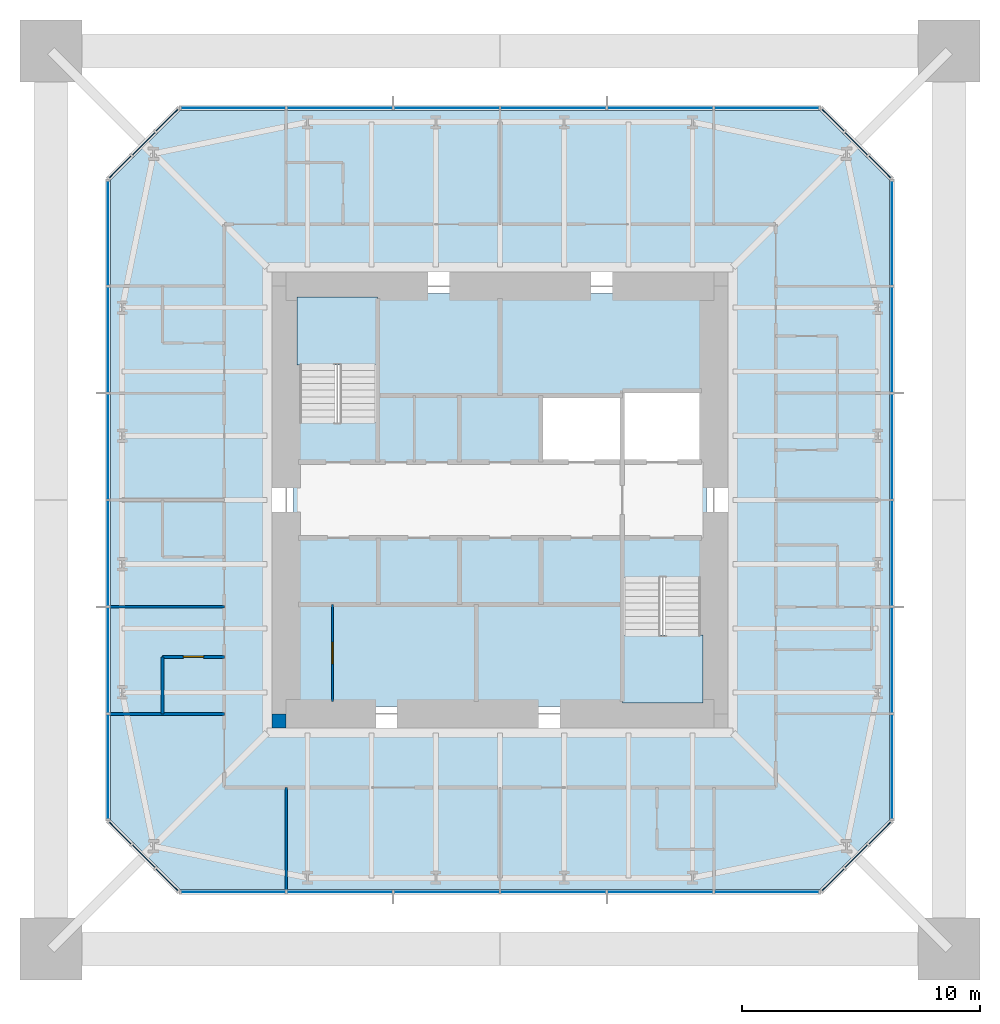
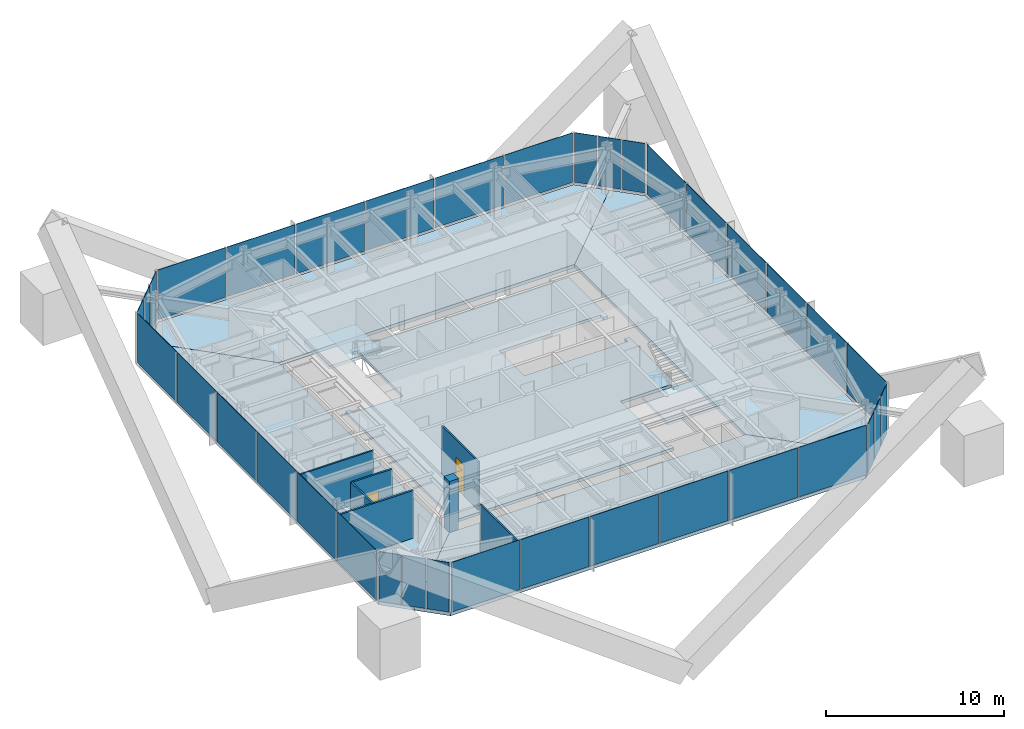
# One storey, part 6 of 10: 36 plates, 7 slabs, 7 walls, 2 doors, 2 openings, 10 elements without a shape of their own.
"""IFC4 building model written with IfcOpenShell, lengths in metres."""

from ifc_helpers import new_model, si_unit, direction, frame, frame_2d, origin, origin_2d, place, context, subcontext, project, spatial, polyline, rectangle, outline, extrude, material, layer, layer_set, constituent, constituent_set, type_object, element, fill, aggregate, save


model = new_model("IFC4")

# Units and contexts
model_context = context("Model", 3, precision=1e-05, world=origin(), true_north=direction((0.0, 1.0)))
body_context = subcontext(model_context, "Body", "Model", "MODEL_VIEW")
ifc_project = project(units=[si_unit("LENGTHUNIT", "METRE"), si_unit("AREAUNIT", "SQUARE_METRE"), si_unit("VOLUMEUNIT", "CUBIC_METRE"), si_unit("PLANEANGLEUNIT", "RADIAN"), si_unit("MASSUNIT", "GRAM", prefix="KILO")], contexts=[model_context])

# Site, building, storey
site_placement = place(None, origin())
site = spatial("IfcSite", under=ifc_project, at=site_placement, CompositionType="ELEMENT")
building_placement = place(site_placement, origin())
building = spatial("IfcBuilding", under=site, at=building_placement, Name="Iwan Alto Co-Living Towers", CompositionType="ELEMENT")
storey_placement = place(building_placement, frame((0.0, 0.0, 260.5)))
storey = spatial("IfcBuildingStorey", under=building, at=storey_placement, Name="L71", CompositionType="ELEMENT", Elevation=260.5)

# Slab
ifc_material_1 = material(Name="Concrete f'c 30 MPa", Category="concrete")
ifc_layer_1 = layer(ifc_material_1, 0.199951171875)
ifc_layer_set_1 = layer_set([ifc_layer_1], Name="CORE FLOOR SLAB 200")
slab_type_1 = type_object("IfcSlabType", Name="CORE FLOOR SLAB 200", PredefinedType="FLOOR", material=ifc_layer_set_1)
slab_1_placement = place(storey_placement, frame((0.0, 0.0, -0.199951171875)))
element("IfcSlab", 1, at=slab_1_placement, inside=storey, type_object=slab_type_1, Name="T1 core floor L71", PredefinedType="FLOOR", context=body_context, shape_type="SweptSolid", body=[
    extrude(outline(polyline([(-8.699951171875, 3.580078125), (-8.39990234375, 3.580078125), (-8.39990234375, 3.27001953125), (-5.14990234375, 3.27001953125), (-5.14990234375, 8.39990234375), (-5.4599609375, 8.39990234375), (-5.4599609375, 8.699951171875), (8.699951171875, 8.699951171875), (8.699951171875, 4.2900390625), (8.39990234375, 4.2900390625), (8.39990234375, 4.60009765625), (5.14990234375, 4.60009765625), (5.14990234375, 4.39990234375), (1.717041015625, 4.39990234375), (1.717041015625, 1.60009765625), (5.14990234375, 1.60009765625), (8.39990234375, 1.60009765625), (8.39990234375, 1.909912109375), (8.699951171875, 1.909912109375), (8.699951171875, -3.580078125), (8.39990234375, -3.580078125), (8.39990234375, -3.27001953125), (5.14990234375, -3.27001953125), (5.14990234375, -8.39990234375), (5.4599609375, -8.39990234375), (5.4599609375, -8.699951171875), (-8.699951171875, -8.699951171875), (-8.699951171875, 3.580078125)])), origin(), (0.0, 0.0, 1.0), 0.199951171875),
])

# Curtain wall, plates
ifc_material_2 = material(Name="Bronze aluminium unitised frame", Category="aluminium")
curtain_wall_type_1 = type_object("IfcCurtainWallType", Name="CURTAIN WALL CW-A", PredefinedType="NOTDEFINED", material=ifc_material_2)
curtain_wall_1_placement = place(storey_placement, origin())
curtain_wall_1 = element("IfcCurtainWall", 2, at=curtain_wall_1_placement, inside=storey, type_object=curtain_wall_type_1, Name="T1 curtain wall S L71", PredefinedType="NOTDEFINED")
ifc_material_3 = material(Name="Bronze-tinted insulating glass", Category="glass")
ifc_layer_2 = layer(ifc_material_3, 0.031982421875)
ifc_layer_set_2 = layer_set([ifc_layer_2], Name="CW-A PANEL TINTED IGU 32")
plate_type_1 = type_object("IfcPlateType", Name="CW-A PANEL TINTED IGU 32", PredefinedType="CURTAIN_PANEL", material=ifc_layer_set_2)
plate_1_placement = place(storey_placement, frame((-11.22998046875, -16.5, 0.10009765625), z_axis=(0.0, 0.0, 1.0), x_axis=(1.0, 0.0, 0.0)))
plate_1 = element("IfcPlate", 3, at=plate_1_placement, type_object=plate_type_1, Name="CW-A panel 1.1", PredefinedType="CURTAIN_PANEL", context=body_context, shape_type="SweptSolid", body=[
    extrude(rectangle(XDim=4.3798828125, YDim=0.031982421875, at=origin_2d()), origin(), (0.0, 0.0, 1.0), 3.39990234375),
])
plate_2_placement = place(storey_placement, frame((-6.75, -16.5, 0.10009765625), z_axis=(0.0, 0.0, 1.0), x_axis=(1.0, 0.0, 0.0)))
plate_2 = element("IfcPlate", 4, at=plate_2_placement, type_object=plate_type_1, Name="CW-A panel 2.1", PredefinedType="CURTAIN_PANEL", context=body_context, shape_type="SweptSolid", body=[
    extrude(rectangle(XDim=4.419921875, YDim=0.031982421875, at=origin_2d()), origin(), (0.0, 0.0, 1.0), 3.39990234375),
])
plate_3_placement = place(storey_placement, frame((-2.25, -16.5, 0.10009765625), z_axis=(0.0, 0.0, 1.0), x_axis=(1.0, 0.0, 0.0)))
plate_3 = element("IfcPlate", 5, at=plate_3_placement, type_object=plate_type_1, Name="CW-A panel 3.1", PredefinedType="CURTAIN_PANEL", context=body_context, shape_type="SweptSolid", body=[
    extrude(rectangle(XDim=4.419921875, YDim=0.031982421875, at=origin_2d()), origin(), (0.0, 0.0, 1.0), 3.39990234375),
])
plate_4_placement = place(storey_placement, frame((2.25, -16.5, 0.10009765625), z_axis=(0.0, 0.0, 1.0), x_axis=(1.0, 0.0, 0.0)))
plate_4 = element("IfcPlate", 6, at=plate_4_placement, type_object=plate_type_1, Name="CW-A panel 4.1", PredefinedType="CURTAIN_PANEL", context=body_context, shape_type="SweptSolid", body=[
    extrude(rectangle(XDim=4.419921875, YDim=0.031982421875, at=origin_2d()), origin(), (0.0, 0.0, 1.0), 3.39990234375),
])
plate_5_placement = place(storey_placement, frame((6.75, -16.5, 0.10009765625), z_axis=(0.0, 0.0, 1.0), x_axis=(1.0, 0.0, 0.0)))
plate_5 = element("IfcPlate", 7, at=plate_5_placement, type_object=plate_type_1, Name="CW-A panel 5.1", PredefinedType="CURTAIN_PANEL", context=body_context, shape_type="SweptSolid", body=[
    extrude(rectangle(XDim=4.419921875, YDim=0.031982421875, at=origin_2d()), origin(), (0.0, 0.0, 1.0), 3.39990234375),
])
plate_6_placement = place(storey_placement, frame((11.22998046875, -16.5, 0.10009765625), z_axis=(0.0, 0.0, 1.0), x_axis=(1.0, 0.0, 0.0)))
plate_6 = element("IfcPlate", 8, at=plate_6_placement, type_object=plate_type_1, Name="CW-A panel 6.1", PredefinedType="CURTAIN_PANEL", context=body_context, shape_type="SweptSolid", body=[
    extrude(rectangle(XDim=4.3798828125, YDim=0.031982421875, at=origin_2d()), origin(), (0.0, 0.0, 1.0), 3.39990234375),
])
aggregate(curtain_wall_1, [plate_1, plate_2, plate_3, plate_4, plate_5, plate_6])

curtain_wall_2_placement = place(storey_placement, origin())
curtain_wall_2 = element("IfcCurtainWall", 9, at=curtain_wall_2_placement, inside=storey, type_object=curtain_wall_type_1, Name="T1 curtain wall E L71", PredefinedType="NOTDEFINED")
plate_7_placement = place(storey_placement, frame((16.5, -11.22998046875, 0.10009765625), z_axis=(0.0, 0.0, 1.0), x_axis=(0.0, 1.0, 0.0)))
plate_7 = element("IfcPlate", 10, at=plate_7_placement, type_object=plate_type_1, Name="CW-A panel 1.1", PredefinedType="CURTAIN_PANEL", context=body_context, shape_type="SweptSolid", body=[
    extrude(rectangle(XDim=4.3798828125, YDim=0.031982421875, at=origin_2d()), origin(), (0.0, 0.0, 1.0), 3.39990234375),
])
plate_8_placement = place(storey_placement, frame((16.5, -6.75, 0.10009765625), z_axis=(0.0, 0.0, 1.0), x_axis=(0.0, 1.0, 0.0)))
plate_8 = element("IfcPlate", 11, at=plate_8_placement, type_object=plate_type_1, Name="CW-A panel 2.1", PredefinedType="CURTAIN_PANEL", context=body_context, shape_type="SweptSolid", body=[
    extrude(rectangle(XDim=4.419921875, YDim=0.031982421875, at=origin_2d()), origin(), (0.0, 0.0, 1.0), 3.39990234375),
])
plate_9_placement = place(storey_placement, frame((16.5, -2.25, 0.10009765625), z_axis=(0.0, 0.0, 1.0), x_axis=(0.0, 1.0, 0.0)))
plate_9 = element("IfcPlate", 12, at=plate_9_placement, type_object=plate_type_1, Name="CW-A panel 3.1", PredefinedType="CURTAIN_PANEL", context=body_context, shape_type="SweptSolid", body=[
    extrude(rectangle(XDim=4.419921875, YDim=0.031982421875, at=origin_2d()), origin(), (0.0, 0.0, 1.0), 3.39990234375),
])
plate_10_placement = place(storey_placement, frame((16.5, 2.25, 0.10009765625), z_axis=(0.0, 0.0, 1.0), x_axis=(0.0, 1.0, 0.0)))
plate_10 = element("IfcPlate", 13, at=plate_10_placement, type_object=plate_type_1, Name="CW-A panel 4.1", PredefinedType="CURTAIN_PANEL", context=body_context, shape_type="SweptSolid", body=[
    extrude(rectangle(XDim=4.419921875, YDim=0.031982421875, at=origin_2d()), origin(), (0.0, 0.0, 1.0), 3.39990234375),
])
plate_11_placement = place(storey_placement, frame((16.5, 6.75, 0.10009765625), z_axis=(0.0, 0.0, 1.0), x_axis=(0.0, 1.0, 0.0)))
plate_11 = element("IfcPlate", 14, at=plate_11_placement, type_object=plate_type_1, Name="CW-A panel 5.1", PredefinedType="CURTAIN_PANEL", context=body_context, shape_type="SweptSolid", body=[
    extrude(rectangle(XDim=4.419921875, YDim=0.031982421875, at=origin_2d()), origin(), (0.0, 0.0, 1.0), 3.39990234375),
])
plate_12_placement = place(storey_placement, frame((16.5, 11.22998046875, 0.10009765625), z_axis=(0.0, 0.0, 1.0), x_axis=(0.0, 1.0, 0.0)))
plate_12 = element("IfcPlate", 15, at=plate_12_placement, type_object=plate_type_1, Name="CW-A panel 6.1", PredefinedType="CURTAIN_PANEL", context=body_context, shape_type="SweptSolid", body=[
    extrude(rectangle(XDim=4.3798828125, YDim=0.031982421875, at=origin_2d()), origin(), (0.0, 0.0, 1.0), 3.39990234375),
])
aggregate(curtain_wall_2, [plate_7, plate_8, plate_9, plate_10, plate_11, plate_12])

curtain_wall_3_placement = place(storey_placement, origin())
curtain_wall_3 = element("IfcCurtainWall", 16, at=curtain_wall_3_placement, inside=storey, type_object=curtain_wall_type_1, Name="T1 curtain wall N L71", PredefinedType="NOTDEFINED")
plate_13_placement = place(storey_placement, frame((11.22998046875, 16.5, 0.10009765625), z_axis=(0.0, 0.0, 1.0), x_axis=(-1.0, 0.0, 0.0)))
plate_13 = element("IfcPlate", 17, at=plate_13_placement, type_object=plate_type_1, Name="CW-A panel 1.1", PredefinedType="CURTAIN_PANEL", context=body_context, shape_type="SweptSolid", body=[
    extrude(rectangle(XDim=4.3798828125, YDim=0.031982421875, at=origin_2d()), origin(), (0.0, 0.0, 1.0), 3.39990234375),
])
plate_14_placement = place(storey_placement, frame((6.75, 16.5, 0.10009765625), z_axis=(0.0, 0.0, 1.0), x_axis=(-1.0, 0.0, 0.0)))
plate_14 = element("IfcPlate", 18, at=plate_14_placement, type_object=plate_type_1, Name="CW-A panel 2.1", PredefinedType="CURTAIN_PANEL", context=body_context, shape_type="SweptSolid", body=[
    extrude(rectangle(XDim=4.419921875, YDim=0.031982421875, at=origin_2d()), origin(), (0.0, 0.0, 1.0), 3.39990234375),
])
plate_15_placement = place(storey_placement, frame((2.25, 16.5, 0.10009765625), z_axis=(0.0, 0.0, 1.0), x_axis=(-1.0, 0.0, 0.0)))
plate_15 = element("IfcPlate", 19, at=plate_15_placement, type_object=plate_type_1, Name="CW-A panel 3.1", PredefinedType="CURTAIN_PANEL", context=body_context, shape_type="SweptSolid", body=[
    extrude(rectangle(XDim=4.419921875, YDim=0.031982421875, at=origin_2d()), origin(), (0.0, 0.0, 1.0), 3.39990234375),
])
plate_16_placement = place(storey_placement, frame((-2.25, 16.5, 0.10009765625), z_axis=(0.0, 0.0, 1.0), x_axis=(-1.0, 0.0, 0.0)))
plate_16 = element("IfcPlate", 20, at=plate_16_placement, type_object=plate_type_1, Name="CW-A panel 4.1", PredefinedType="CURTAIN_PANEL", context=body_context, shape_type="SweptSolid", body=[
    extrude(rectangle(XDim=4.419921875, YDim=0.031982421875, at=origin_2d()), origin(), (0.0, 0.0, 1.0), 3.39990234375),
])
plate_17_placement = place(storey_placement, frame((-6.75, 16.5, 0.10009765625), z_axis=(0.0, 0.0, 1.0), x_axis=(-1.0, 0.0, 0.0)))
plate_17 = element("IfcPlate", 21, at=plate_17_placement, type_object=plate_type_1, Name="CW-A panel 5.1", PredefinedType="CURTAIN_PANEL", context=body_context, shape_type="SweptSolid", body=[
    extrude(rectangle(XDim=4.419921875, YDim=0.031982421875, at=origin_2d()), origin(), (0.0, 0.0, 1.0), 3.39990234375),
])
plate_18_placement = place(storey_placement, frame((-11.22998046875, 16.5, 0.10009765625), z_axis=(0.0, 0.0, 1.0), x_axis=(-1.0, 0.0, 0.0)))
plate_18 = element("IfcPlate", 22, at=plate_18_placement, type_object=plate_type_1, Name="CW-A panel 6.1", PredefinedType="CURTAIN_PANEL", context=body_context, shape_type="SweptSolid", body=[
    extrude(rectangle(XDim=4.3798828125, YDim=0.031982421875, at=origin_2d()), origin(), (0.0, 0.0, 1.0), 3.39990234375),
])
aggregate(curtain_wall_3, [plate_13, plate_14, plate_15, plate_16, plate_17, plate_18])

curtain_wall_4_placement = place(storey_placement, origin())
curtain_wall_4 = element("IfcCurtainWall", 23, at=curtain_wall_4_placement, inside=storey, type_object=curtain_wall_type_1, Name="T1 curtain wall W L71", PredefinedType="NOTDEFINED")
plate_19_placement = place(storey_placement, frame((-16.5, 11.22998046875, 0.10009765625), z_axis=(0.0, 0.0, 1.0), x_axis=(0.0, -1.0, 0.0)))
plate_19 = element("IfcPlate", 24, at=plate_19_placement, type_object=plate_type_1, Name="CW-A panel 1.1", PredefinedType="CURTAIN_PANEL", context=body_context, shape_type="SweptSolid", body=[
    extrude(rectangle(XDim=4.3798828125, YDim=0.031982421875, at=origin_2d()), origin(), (0.0, 0.0, 1.0), 3.39990234375),
])
plate_20_placement = place(storey_placement, frame((-16.5, 6.75, 0.10009765625), z_axis=(0.0, 0.0, 1.0), x_axis=(0.0, -1.0, 0.0)))
plate_20 = element("IfcPlate", 25, at=plate_20_placement, type_object=plate_type_1, Name="CW-A panel 2.1", PredefinedType="CURTAIN_PANEL", context=body_context, shape_type="SweptSolid", body=[
    extrude(rectangle(XDim=4.419921875, YDim=0.031982421875, at=origin_2d()), origin(), (0.0, 0.0, 1.0), 3.39990234375),
])
plate_21_placement = place(storey_placement, frame((-16.5, 2.25, 0.10009765625), z_axis=(0.0, 0.0, 1.0), x_axis=(0.0, -1.0, 0.0)))
plate_21 = element("IfcPlate", 26, at=plate_21_placement, type_object=plate_type_1, Name="CW-A panel 3.1", PredefinedType="CURTAIN_PANEL", context=body_context, shape_type="SweptSolid", body=[
    extrude(rectangle(XDim=4.419921875, YDim=0.031982421875, at=origin_2d()), origin(), (0.0, 0.0, 1.0), 3.39990234375),
])
plate_22_placement = place(storey_placement, frame((-16.5, -2.25, 0.10009765625), z_axis=(0.0, 0.0, 1.0), x_axis=(0.0, -1.0, 0.0)))
plate_22 = element("IfcPlate", 27, at=plate_22_placement, type_object=plate_type_1, Name="CW-A panel 4.1", PredefinedType="CURTAIN_PANEL", context=body_context, shape_type="SweptSolid", body=[
    extrude(rectangle(XDim=4.419921875, YDim=0.031982421875, at=origin_2d()), origin(), (0.0, 0.0, 1.0), 3.39990234375),
])
plate_23_placement = place(storey_placement, frame((-16.5, -6.75, 0.10009765625), z_axis=(0.0, 0.0, 1.0), x_axis=(0.0, -1.0, 0.0)))
plate_23 = element("IfcPlate", 28, at=plate_23_placement, type_object=plate_type_1, Name="CW-A panel 5.1", PredefinedType="CURTAIN_PANEL", context=body_context, shape_type="SweptSolid", body=[
    extrude(rectangle(XDim=4.419921875, YDim=0.031982421875, at=origin_2d()), origin(), (0.0, 0.0, 1.0), 3.39990234375),
])
plate_24_placement = place(storey_placement, frame((-16.5, -11.22998046875, 0.10009765625), z_axis=(0.0, 0.0, 1.0), x_axis=(0.0, -1.0, 0.0)))
plate_24 = element("IfcPlate", 29, at=plate_24_placement, type_object=plate_type_1, Name="CW-A panel 6.1", PredefinedType="CURTAIN_PANEL", context=body_context, shape_type="SweptSolid", body=[
    extrude(rectangle(XDim=4.3798828125, YDim=0.031982421875, at=origin_2d()), origin(), (0.0, 0.0, 1.0), 3.39990234375),
])
aggregate(curtain_wall_4, [plate_19, plate_20, plate_21, plate_22, plate_23, plate_24])

ifc_material_4 = material(Name="Bronze aluminium unitised frame", Category="aluminium")
curtain_wall_type_2 = type_object("IfcCurtainWallType", Name="CURTAIN WALL CW-B", PredefinedType="NOTDEFINED", material=ifc_material_4)
curtain_wall_5_placement = place(storey_placement, origin())
curtain_wall_5 = element("IfcCurtainWall", 30, at=curtain_wall_5_placement, inside=storey, type_object=curtain_wall_type_2, Name="T1 chamfer curtain wall SE L71", PredefinedType="NOTDEFINED")
ifc_material_5 = material(Name="Bronze-tinted insulating glass", Category="glass")
ifc_layer_3 = layer(ifc_material_5, 0.031982421875)
ifc_layer_set_3 = layer_set([ifc_layer_3], Name="CW-B PANEL TINTED IGU 32")
plate_type_2 = type_object("IfcPlateType", Name="CW-B PANEL TINTED IGU 32", PredefinedType="CURTAIN_PANEL", material=ifc_layer_set_3)
plate_25_placement = place(storey_placement, frame((14.01416015625, -15.98583984375, 0.10009765625), z_axis=(0.0, 0.0, 1.0), x_axis=(0.707106781187, 0.707106781187, 0.0)))
plate_25 = element("IfcPlate", 31, at=plate_25_placement, type_object=plate_type_2, Name="CW-B panel 1.1", PredefinedType="CURTAIN_PANEL", context=body_context, shape_type="SweptSolid", body=[
    extrude(rectangle(XDim=1.294189453125, YDim=0.031982421875, at=origin_2d()), origin(), (0.0, 0.0, 1.0), 3.39990234375),
])
plate_26_placement = place(storey_placement, frame((15.0, -15.0, 0.10009765625), z_axis=(0.0, 0.0, 1.0), x_axis=(0.707106781187, 0.707106781187, 0.0)))
plate_26 = element("IfcPlate", 32, at=plate_26_placement, type_object=plate_type_2, Name="CW-B panel 2.1", PredefinedType="CURTAIN_PANEL", context=body_context, shape_type="SweptSolid", body=[
    extrude(rectangle(XDim=1.334228515625, YDim=0.031982421875, at=origin_2d()), origin(), (0.0, 0.0, 1.0), 3.39990234375),
])
plate_27_placement = place(storey_placement, frame((15.98583984375, -14.01416015625, 0.10009765625), z_axis=(0.0, 0.0, 1.0), x_axis=(0.707106781187, 0.707106781187, 0.0)))
plate_27 = element("IfcPlate", 33, at=plate_27_placement, type_object=plate_type_2, Name="CW-B panel 3.1", PredefinedType="CURTAIN_PANEL", context=body_context, shape_type="SweptSolid", body=[
    extrude(rectangle(XDim=1.294189453125, YDim=0.031982421875, at=origin_2d()), origin(), (0.0, 0.0, 1.0), 3.39990234375),
])
aggregate(curtain_wall_5, [plate_25, plate_26, plate_27])

curtain_wall_6_placement = place(storey_placement, origin())
curtain_wall_6 = element("IfcCurtainWall", 34, at=curtain_wall_6_placement, inside=storey, type_object=curtain_wall_type_2, Name="T1 chamfer curtain wall NE L71", PredefinedType="NOTDEFINED")
plate_28_placement = place(storey_placement, frame((15.98583984375, 14.01416015625, 0.10009765625), z_axis=(0.0, 0.0, 1.0), x_axis=(-0.707106781187, 0.707106781187, 0.0)))
plate_28 = element("IfcPlate", 35, at=plate_28_placement, type_object=plate_type_2, Name="CW-B panel 1.1", PredefinedType="CURTAIN_PANEL", context=body_context, shape_type="SweptSolid", body=[
    extrude(rectangle(XDim=1.294189453125, YDim=0.031982421875, at=origin_2d()), origin(), (0.0, 0.0, 1.0), 3.39990234375),
])
plate_29_placement = place(storey_placement, frame((15.0, 15.0, 0.10009765625), z_axis=(0.0, 0.0, 1.0), x_axis=(-0.707106781187, 0.707106781187, 0.0)))
plate_29 = element("IfcPlate", 36, at=plate_29_placement, type_object=plate_type_2, Name="CW-B panel 2.1", PredefinedType="CURTAIN_PANEL", context=body_context, shape_type="SweptSolid", body=[
    extrude(rectangle(XDim=1.334228515625, YDim=0.031982421875, at=origin_2d()), origin(), (0.0, 0.0, 1.0), 3.39990234375),
])
plate_30_placement = place(storey_placement, frame((14.01416015625, 15.98583984375, 0.10009765625), z_axis=(0.0, 0.0, 1.0), x_axis=(-0.707106781187, 0.707106781187, 0.0)))
plate_30 = element("IfcPlate", 37, at=plate_30_placement, type_object=plate_type_2, Name="CW-B panel 3.1", PredefinedType="CURTAIN_PANEL", context=body_context, shape_type="SweptSolid", body=[
    extrude(rectangle(XDim=1.294189453125, YDim=0.031982421875, at=origin_2d()), origin(), (0.0, 0.0, 1.0), 3.39990234375),
])
aggregate(curtain_wall_6, [plate_28, plate_29, plate_30])

curtain_wall_7_placement = place(storey_placement, origin())
curtain_wall_7 = element("IfcCurtainWall", 38, at=curtain_wall_7_placement, inside=storey, type_object=curtain_wall_type_2, Name="T1 chamfer curtain wall NW L71", PredefinedType="NOTDEFINED")
plate_31_placement = place(storey_placement, frame((-14.01416015625, 15.98583984375, 0.10009765625), z_axis=(0.0, 0.0, 1.0), x_axis=(-0.707106781187, -0.707106781187, 0.0)))
plate_31 = element("IfcPlate", 39, at=plate_31_placement, type_object=plate_type_2, Name="CW-B panel 1.1", PredefinedType="CURTAIN_PANEL", context=body_context, shape_type="SweptSolid", body=[
    extrude(rectangle(XDim=1.294189453125, YDim=0.031982421875, at=origin_2d()), origin(), (0.0, 0.0, 1.0), 3.39990234375),
])
plate_32_placement = place(storey_placement, frame((-15.0, 15.0, 0.10009765625), z_axis=(0.0, 0.0, 1.0), x_axis=(-0.707106781187, -0.707106781187, 0.0)))
plate_32 = element("IfcPlate", 40, at=plate_32_placement, type_object=plate_type_2, Name="CW-B panel 2.1", PredefinedType="CURTAIN_PANEL", context=body_context, shape_type="SweptSolid", body=[
    extrude(rectangle(XDim=1.334228515625, YDim=0.031982421875, at=origin_2d()), origin(), (0.0, 0.0, 1.0), 3.39990234375),
])
plate_33_placement = place(storey_placement, frame((-15.98583984375, 14.01416015625, 0.10009765625), z_axis=(0.0, 0.0, 1.0), x_axis=(-0.707106781187, -0.707106781187, 0.0)))
plate_33 = element("IfcPlate", 41, at=plate_33_placement, type_object=plate_type_2, Name="CW-B panel 3.1", PredefinedType="CURTAIN_PANEL", context=body_context, shape_type="SweptSolid", body=[
    extrude(rectangle(XDim=1.294189453125, YDim=0.031982421875, at=origin_2d()), origin(), (0.0, 0.0, 1.0), 3.39990234375),
])
aggregate(curtain_wall_7, [plate_31, plate_32, plate_33])

curtain_wall_8_placement = place(storey_placement, origin())
curtain_wall_8 = element("IfcCurtainWall", 42, at=curtain_wall_8_placement, inside=storey, type_object=curtain_wall_type_2, Name="T1 chamfer curtain wall SW L71", PredefinedType="NOTDEFINED")
plate_34_placement = place(storey_placement, frame((-15.98583984375, -14.01416015625, 0.10009765625), z_axis=(0.0, 0.0, 1.0), x_axis=(0.707106781187, -0.707106781187, 0.0)))
plate_34 = element("IfcPlate", 43, at=plate_34_placement, type_object=plate_type_2, Name="CW-B panel 1.1", PredefinedType="CURTAIN_PANEL", context=body_context, shape_type="SweptSolid", body=[
    extrude(rectangle(XDim=1.294189453125, YDim=0.031982421875, at=origin_2d()), origin(), (0.0, 0.0, 1.0), 3.39990234375),
])
plate_35_placement = place(storey_placement, frame((-15.0, -15.0, 0.10009765625), z_axis=(0.0, 0.0, 1.0), x_axis=(0.707106781187, -0.707106781187, 0.0)))
plate_35 = element("IfcPlate", 44, at=plate_35_placement, type_object=plate_type_2, Name="CW-B panel 2.1", PredefinedType="CURTAIN_PANEL", context=body_context, shape_type="SweptSolid", body=[
    extrude(rectangle(XDim=1.334228515625, YDim=0.031982421875, at=origin_2d()), origin(), (0.0, 0.0, 1.0), 3.39990234375),
])
plate_36_placement = place(storey_placement, frame((-14.01416015625, -15.98583984375, 0.10009765625), z_axis=(0.0, 0.0, 1.0), x_axis=(0.707106781187, -0.707106781187, 0.0)))
plate_36 = element("IfcPlate", 45, at=plate_36_placement, type_object=plate_type_2, Name="CW-B panel 3.1", PredefinedType="CURTAIN_PANEL", context=body_context, shape_type="SweptSolid", body=[
    extrude(rectangle(XDim=1.294189453125, YDim=0.031982421875, at=origin_2d()), origin(), (0.0, 0.0, 1.0), 3.39990234375),
])
aggregate(curtain_wall_8, [plate_34, plate_35, plate_36])

# Stair, slab
ifc_material_6 = material(Name="Steel ASTM A36", Category="steel")
ifc_constituent_1 = constituent(ifc_material_6, Name="Stringers", Category="LoadBearing")
ifc_material_7 = material(Name="Concrete f'c 30 MPa", Category="concrete")
ifc_constituent_2 = constituent(ifc_material_7, Name="Tread fill", Category="Finish")
ifc_constituent_set = constituent_set(constituents=[ifc_constituent_1, ifc_constituent_2], Name="STAIR 3500 TWO-FLIGHT T1 CORE")
stair_type = type_object("IfcStairType", Name="STAIR 3500 TWO-FLIGHT T1 CORE", PredefinedType="HALF_TURN_STAIR", material=ifc_constituent_set)
stair_1_placement = place(storey_placement, origin())
stair_1 = element("IfcStair", 46, at=stair_1_placement, inside=storey, type_object=stair_type, Name="Stair T1-S1 L71 to L72", PredefinedType="HALF_TURN_STAIR")
ifc_material_8 = material(Name="Concrete f'c 30 MPa", Category="concrete")
ifc_layer_4 = layer(ifc_material_8, 0.199951171875)
ifc_layer_set_4 = layer_set([ifc_layer_4], Name="STAIR LANDING 200")
slab_type_2 = type_object("IfcSlabType", Name="STAIR LANDING 200", PredefinedType="LANDING", material=ifc_layer_set_4)
slab_2_placement = place(storey_placement, frame((0.0, 0.0, 1.550048828125)))
slab_2 = element("IfcSlab", 47, at=slab_2_placement, type_object=slab_type_2, Name="T1-S1 landing 1", PredefinedType="LANDING", context=body_context, shape_type="SweptSolid", body=[
    extrude(outline(polyline([(-8.550048828125, 5.68994140625), (-8.550048828125, 8.550048828125), (-5.14990234375, 8.550048828125), (-5.14990234375, 5.68994140625), (-8.550048828125, 5.68994140625)])), origin(), (0.0, 0.0, 1.0), 0.199951171875),
])
aggregate(stair_1, [slab_2])

stair_2_placement = place(storey_placement, origin())
stair_2 = element("IfcStair", 48, at=stair_2_placement, inside=storey, type_object=stair_type, Name="Stair T1-S2 L71 to L72", PredefinedType="HALF_TURN_STAIR")
slab_3_placement = place(storey_placement, frame((0.0, 0.0, 1.550048828125)))
slab_3 = element("IfcSlab", 49, at=slab_3_placement, type_object=slab_type_2, Name="T1-S2 landing 1", PredefinedType="LANDING", context=body_context, shape_type="SweptSolid", body=[
    extrude(outline(polyline([(5.14990234375, -5.68994140625), (5.14990234375, -8.550048828125), (8.550048828125, -8.550048828125), (8.550048828125, -5.68994140625), (5.14990234375, -5.68994140625)])), origin(), (0.0, 0.0, 1.0), 0.199951171875),
])
aggregate(stair_2, [slab_3])

# Slabs
ifc_material_9 = material(Name="Concrete f'c 30 MPa", Category="concrete")
ifc_layer_5 = layer(ifc_material_9, 0.22998046875)
ifc_layer_set_5 = layer_set([ifc_layer_5], Name="T1 FLOOR SLAB 230")
slab_type_3 = type_object("IfcSlabType", Name="T1 FLOOR SLAB 230", PredefinedType="FLOOR", material=ifc_layer_set_5)
slab_4_placement = place(storey_placement, frame((0.0, 0.0, -0.22998046875)))
element("IfcSlab", 50, at=slab_4_placement, inside=storey, type_object=slab_type_3, Name="T1 floor slab L71 S pour", PredefinedType="FLOOR", context=body_context, shape_type="SweptSolid", body=[
    extrude(outline(polyline([(13.44140625, -16.39990234375), (-13.44140625, -16.39990234375), (-14.920654296875, -14.920654296875), (-9.60009765625, -9.60009765625), (9.60009765625, -9.60009765625), (14.920654296875, -14.920654296875), (13.44140625, -16.39990234375)])), origin(), (0.0, 0.0, 1.0), 0.22998046875),
])
slab_5_placement = place(storey_placement, frame((0.0, 0.0, -0.22998046875)))
element("IfcSlab", 51, at=slab_5_placement, inside=storey, type_object=slab_type_3, Name="T1 floor slab L71 E pour", PredefinedType="FLOOR", context=body_context, shape_type="SweptSolid", body=[
    extrude(outline(polyline([(16.39990234375, 13.44140625), (16.39990234375, -13.44140625), (14.920654296875, -14.920654296875), (9.60009765625, -9.60009765625), (9.60009765625, 9.60009765625), (14.920654296875, 14.920654296875), (16.39990234375, 13.44140625)])), origin(), (0.0, 0.0, 1.0), 0.22998046875),
])
slab_6_placement = place(storey_placement, frame((0.0, 0.0, -0.22998046875)))
element("IfcSlab", 52, at=slab_6_placement, inside=storey, type_object=slab_type_3, Name="T1 floor slab L71 N pour", PredefinedType="FLOOR", context=body_context, shape_type="SweptSolid", body=[
    extrude(outline(polyline([(-13.44140625, 16.39990234375), (13.44140625, 16.39990234375), (14.920654296875, 14.920654296875), (9.60009765625, 9.60009765625), (-9.60009765625, 9.60009765625), (-14.920654296875, 14.920654296875), (-13.44140625, 16.39990234375)])), origin(), (0.0, 0.0, 1.0), 0.22998046875),
])
slab_7_placement = place(storey_placement, frame((0.0, 0.0, -0.22998046875)))
element("IfcSlab", 53, at=slab_7_placement, inside=storey, type_object=slab_type_3, Name="T1 floor slab L71 W pour", PredefinedType="FLOOR", context=body_context, shape_type="SweptSolid", body=[
    extrude(outline(polyline([(-16.39990234375, 13.44140625), (-14.920654296875, 14.920654296875), (-9.60009765625, 9.60009765625), (-9.60009765625, -9.60009765625), (-14.920654296875, -14.920654296875), (-16.39990234375, -13.44140625), (-16.39990234375, 13.44140625)])), origin(), (0.0, 0.0, 1.0), 0.22998046875),
])

# Wall
ifc_material_10 = material(Name="Gypsum board")
ifc_layer_6 = layer(ifc_material_10, 0.012451171875, Name="Board", Category="Finish")
ifc_material_11 = material(Name="Steel ASTM A1003 ST33H cold-formed studs", Category="steel")
ifc_layer_7 = layer(ifc_material_11, 0.074951171875, Name="Studs", Category="Framing")
ifc_layer_8 = layer(ifc_material_10, 0.012451171875, Name="Board", Category="Finish")
ifc_layer_set_6 = layer_set([ifc_layer_6, ifc_layer_7, ifc_layer_8], Name="PARTITION 100")
wall_type_1 = type_object("IfcWallType", Name="PARTITION 100", PredefinedType="PARTITIONING", material=ifc_layer_set_6)
wall_1_placement = place(storey_placement, frame((-16.43994140625, -4.5, 0.0), z_axis=(0.0, 0.0, 1.0), x_axis=(1.0, 0.0, 0.0)))
element("IfcWall", 54, at=wall_1_placement, inside=storey, type_object=wall_type_1, Name="Partition L71", PredefinedType="PARTITIONING", context=body_context, shape_type="SweptSolid", body=[
    extrude(rectangle(XDim=4.83984375, YDim=0.10009765625, at=frame_2d((2.419921875, 0.0))), origin(), (0.0, 0.0, 1.0), 3.27001953125),
])

# Wall, opening, door
wall_2_placement = place(storey_placement, frame((-7.050048828125, -8.489990234375, 0.0), z_axis=(0.0, 0.0, 1.0), x_axis=(0.0, 1.0, 0.0)))
wall_2 = element("IfcWall", 55, at=wall_2_placement, inside=storey, type_object=wall_type_1, Name="Partition L71", PredefinedType="PARTITIONING", context=body_context, shape_type="SweptSolid", body=[
    extrude(rectangle(XDim=4.090087890625, YDim=0.10009765625, at=frame_2d((2.044921875, 0.0))), origin(), (0.0, 0.0, 1.0), 3.300048828125),
])
opening_1_placement = place(wall_2_placement, frame((1.594970703125, 0.0, 0.0)))
opening_1 = element("IfcOpeningElement", 56, at=opening_1_placement, cuts=wall_2, Name="Opening D16", PredefinedType="OPENING", context=body_context, shape_type="SweptSolid", body=[
    extrude(rectangle(XDim=0.89990234375, YDim=2.10009765625, at=frame_2d((0.449951171875, 1.050048828125))), frame((0.0, 0.06005859375, 0.0), z_axis=(0.0, -1.0, 0.0), x_axis=(1.0, 0.0, 0.0)), (0.0, 0.0, 1.0), 0.1201171875),
])
ifc_material_12 = material(Name="Timber leaf in steel frame", Category="steel")
door_type_1 = type_object("IfcDoorType", Name="CUPBOARD SLIDING DOOR 900X2100", OperationType="SLIDING_TO_LEFT", PredefinedType="DOOR", material=ifc_material_12)
door_1_placement = place(opening_1_placement, origin())
door_1 = element("IfcDoor", 57, at=door_1_placement, inside=storey, type_object=door_type_1, Name="Bulky waste store door L71", OperationType="SLIDING_TO_LEFT", OverallHeight=2.10009765625, OverallWidth=0.89990234375, PredefinedType="DOOR", context=body_context, shape_type="SweptSolid", body=[
    extrude(rectangle(XDim=0.89990234375, YDim=2.10009765625, at=frame_2d((0.449951171875, 1.050048828125))), frame((0.0, 0.02490234375, 0.0), z_axis=(0.0, -1.0, 0.0), x_axis=(1.0, 0.0, 0.0)), (0.0, 0.0, 1.0), 0.050048828125),
])
fill(opening_1, door_1)

# Walls
wall_3_placement = place(storey_placement, frame((-9.0, -16.43994140625, 0.0), z_axis=(0.0, 0.0, 1.0), x_axis=(0.0, 1.0, 0.0)))
element("IfcWall", 58, at=wall_3_placement, inside=storey, type_object=wall_type_1, Name="Partition L71", PredefinedType="PARTITIONING", context=body_context, shape_type="SweptSolid", body=[
    extrude(rectangle(XDim=4.33984375, YDim=0.10009765625, at=frame_2d((2.169921875, 0.0))), origin(), (0.0, 0.0, 1.0), 3.27001953125),
])
ifc_material_13 = material(Name="Concrete f'c 70 MPa", Category="concrete")
ifc_layer_9 = layer(ifc_material_13, 0.60009765625)
ifc_layer_set_7 = layer_set([ifc_layer_9], Name="T1 CORE CORNER FILL 600")
wall_type_2 = type_object("IfcWallType", Name="T1 CORE CORNER FILL 600", PredefinedType="SOLIDWALL", material=ifc_layer_set_7)
wall_4_placement = place(storey_placement, frame((-9.60009765625, -9.300048828125, 0.0), z_axis=(0.0, 0.0, 1.0), x_axis=(1.0, 0.0, 0.0)))
element("IfcWall", 59, at=wall_4_placement, inside=storey, type_object=wall_type_2, Name="T1 core corner SW L71", PredefinedType="SOLIDWALL", context=body_context, shape_type="SweptSolid", body=[
    extrude(rectangle(XDim=0.60009765625, YDim=0.60009765625, at=frame_2d((0.300048828125, 0.0))), origin(), (0.0, 0.0, 1.0), 3.5),
])
ifc_material_14 = material(Name="Cement board")
ifc_layer_10 = layer(ifc_material_14, 0.012451171875, Name="Board", Category="Finish")
ifc_layer_11 = layer(ifc_material_11, 0.094970703125, Name="Studs", Category="Framing")
ifc_layer_12 = layer(ifc_material_14, 0.012451171875, Name="Board", Category="Finish")
ifc_layer_set_8 = layer_set([ifc_layer_10, ifc_layer_11, ifc_layer_12], Name="WET AREA PARTITION 120")
wall_type_3 = type_object("IfcWallType", Name="WET AREA PARTITION 120", PredefinedType="PARTITIONING", material=ifc_layer_set_8)
wall_5_placement = place(storey_placement, frame((-16.43994140625, -9.0, 0.0), z_axis=(0.0, 0.0, 1.0), x_axis=(1.0, 0.0, 0.0)))
element("IfcWall", 60, at=wall_5_placement, inside=storey, type_object=wall_type_3, Name="Partition L71", PredefinedType="PARTITIONING", context=body_context, shape_type="SweptSolid", body=[
    extrude(rectangle(XDim=4.83984375, YDim=0.1201171875, at=frame_2d((2.419921875, 0.0))), origin(), (0.0, 0.0, 1.0), 3.27001953125),
])

# Wall, opening, door
wall_6_placement = place(storey_placement, frame((-14.199951171875, -6.60009765625, 0.0), z_axis=(0.0, 0.0, 1.0), x_axis=(1.0, 0.0, 0.0)))
wall_6 = element("IfcWall", 61, at=wall_6_placement, inside=storey, type_object=wall_type_3, Name="Partition L71", PredefinedType="PARTITIONING", context=body_context, shape_type="SweptSolid", body=[
    extrude(rectangle(XDim=2.599853515625, YDim=0.1201171875, at=frame_2d((1.2998046875, 0.0))), origin(), (0.0, 0.0, 1.0), 3.27001953125),
])
opening_2_placement = place(wall_6_placement, frame((0.875, 0.0, 0.0)))
opening_2 = element("IfcOpeningElement", 62, at=opening_2_placement, cuts=wall_6, Name="Opening D2", PredefinedType="OPENING", context=body_context, shape_type="SweptSolid", body=[
    extrude(rectangle(XDim=0.85009765625, YDim=2.10009765625, at=frame_2d((0.425048828125, 1.050048828125))), frame((0.0, 0.070068359375, 0.0), z_axis=(0.0, -1.0, 0.0), x_axis=(1.0, 0.0, 0.0)), (0.0, 0.0, 1.0), 0.14013671875),
])
ifc_material_15 = material(Name="Timber leaf in steel frame", Category="steel")
door_type_2 = type_object("IfcDoorType", Name="ROOM DOOR 850X2100", OperationType="SINGLE_SWING_LEFT", PredefinedType="DOOR", material=ifc_material_15)
door_2_placement = place(opening_2_placement, origin())
door_2 = element("IfcDoor", 63, at=door_2_placement, inside=storey, type_object=door_type_2, Name="En-suite shower room door L71", OperationType="SINGLE_SWING_RIGHT", OverallHeight=2.10009765625, OverallWidth=0.85009765625, PredefinedType="DOOR", context=body_context, shape_type="SweptSolid", body=[
    extrude(rectangle(XDim=0.85009765625, YDim=2.10009765625, at=frame_2d((0.425048828125, 1.050048828125))), frame((0.0, 0.02490234375, 0.0), z_axis=(0.0, -1.0, 0.0), x_axis=(1.0, 0.0, 0.0)), (0.0, 0.0, 1.0), 0.050048828125),
])
fill(opening_2, door_2)

# Wall
wall_7_placement = place(storey_placement, frame((-14.199951171875, -9.0, 0.0), z_axis=(0.0, 0.0, 1.0), x_axis=(0.0, 1.0, 0.0)))
element("IfcWall", 64, at=wall_7_placement, inside=storey, type_object=wall_type_3, Name="Partition L71", PredefinedType="PARTITIONING", context=body_context, shape_type="SweptSolid", body=[
    extrude(rectangle(XDim=2.39990234375, YDim=0.1201171875, at=frame_2d((1.199951171875, 0.0))), origin(), (0.0, 0.0, 1.0), 3.27001953125),
])

save(model, "model.ifc")
